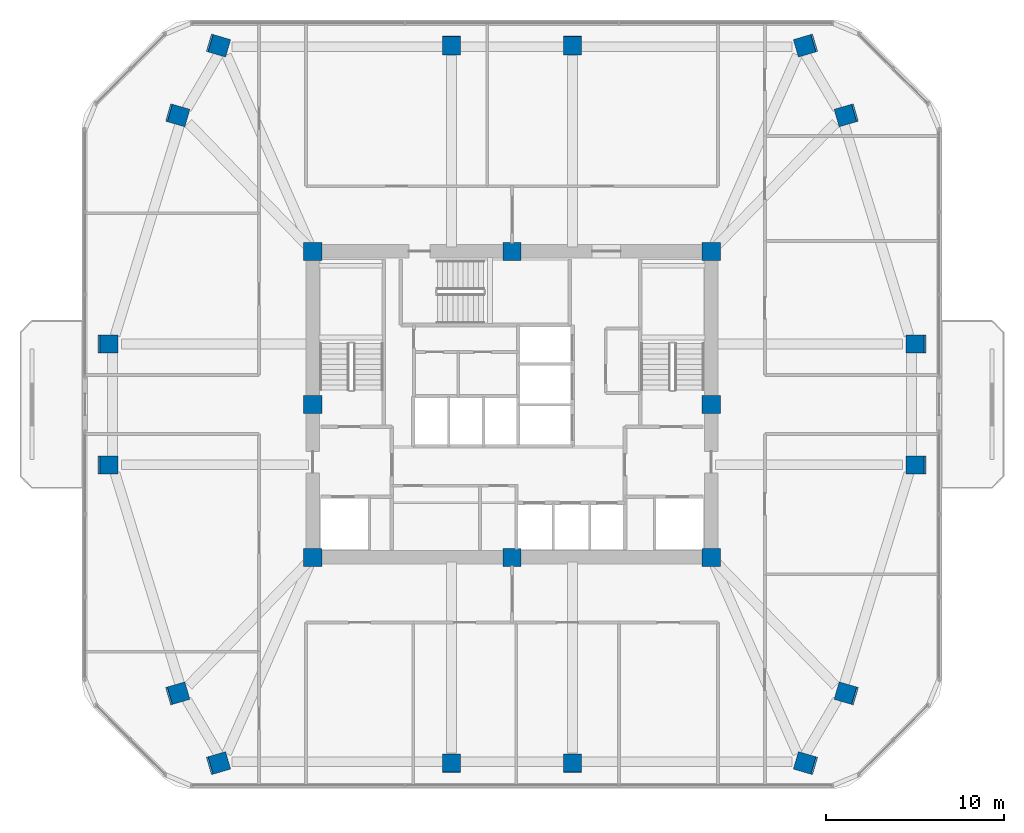
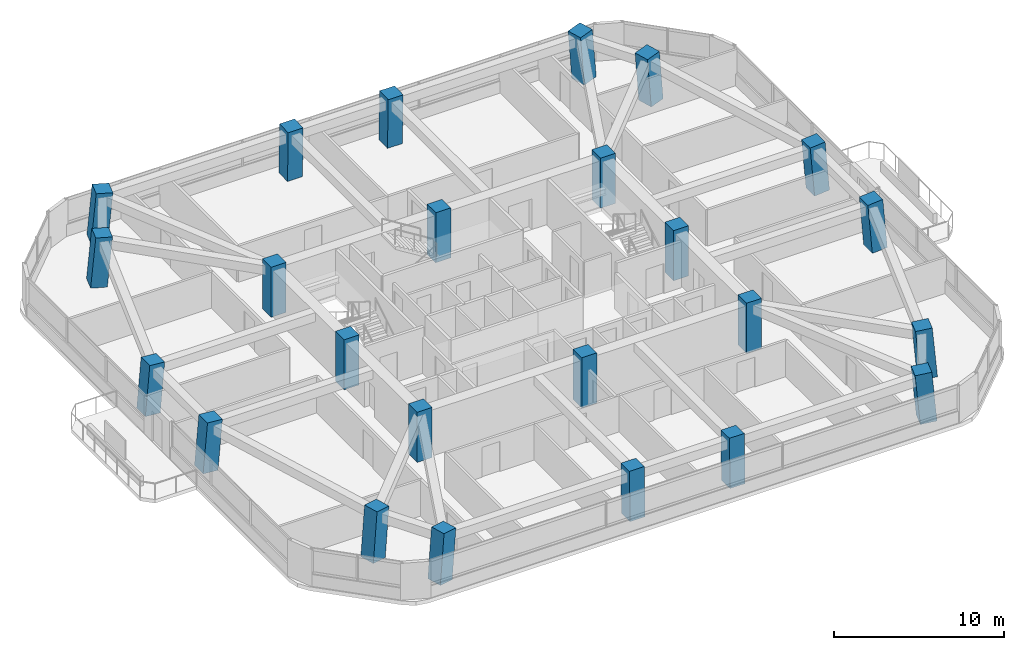
# One storey, part 1 of 14: 24 columns.
"""IFC4 building model written with IfcOpenShell, lengths in metres."""

from ifc_helpers import new_model, si_unit, derived_unit, direction, frame, origin, origin_2d, place, context, subcontext, project, spatial, rectangle, extrude, material, material_profile, profile_set, type_object, element, save


model = new_model("IFC4")

# Units and contexts
model_context = context("Model", 3, precision=1e-05, world=origin(), true_north=direction((0.0, 1.0)))
body_context = subcontext(model_context, "Body", "Model", "MODEL_VIEW")
ifc_project = project(units=[si_unit("LENGTHUNIT", "METRE"), si_unit("AREAUNIT", "SQUARE_METRE"), si_unit("VOLUMEUNIT", "CUBIC_METRE"), si_unit("PLANEANGLEUNIT", "RADIAN"), si_unit("MASSUNIT", "GRAM", prefix="KILO"), derived_unit("THERMALTRANSMITTANCEUNIT", [(si_unit("POWERUNIT", "WATT"), 1), (si_unit("LENGTHUNIT", "METRE"), -2), (si_unit("THERMODYNAMICTEMPERATUREUNIT", "KELVIN"), -1)])], contexts=[model_context])

# Site, building, storey
site_placement = place(None, origin())
site = spatial("IfcSite", under=ifc_project, at=site_placement, CompositionType="ELEMENT")
building_placement = place(site_placement, origin())
building = spatial("IfcBuilding", under=site, at=building_placement, Name="Koralith Skygarden Medical Center", CompositionType="ELEMENT")
storey_placement = place(building_placement, frame((0.0, 0.0, 120.780029296875)))
storey = spatial("IfcBuildingStorey", under=building, at=storey_placement, Name="L31", CompositionType="ELEMENT", Elevation=120.780029296875)

# Columns
ifc_material = material(Name="Concrete C70/85", Category="concrete")
ifc_material_profile_1 = material_profile(ifc_material, rectangle(XDim=1.02001953125, YDim=1.02001953125, at=origin_2d()), Name="RC1020X1020")
ifc_profile_set_1 = profile_set([ifc_material_profile_1], Name="Concrete C70/85")
column_type_1 = type_object("IfcColumnType", Name="Core Mega-Column C70 RC1020", PredefinedType="COLUMN", material=ifc_profile_set_1)
for number, where, z_axis, x_axis, name in (
    (1, (25.800048828125, 17.300048828125, 0.0), (0.0, 0.0, 1.0), (1.0, 0.0, 0.0), "L31 Core Column CC-01"),
    (2, (37.0, 17.300048828125, 0.0), (0.0, 0.0, 1.0), (1.0, 0.0, 0.0), "L31 Core Column CC-02"),
    (3, (48.199951171875, 17.300048828125, 0.0), (0.0, 0.0, 1.0), (1.0, 0.0, 0.0), "L31 Core Column CC-03"),
    (4, (48.199951171875, 25.89990234375, 0.0), (0.0, 0.0, 1.0), (1.0, 0.0, 0.0), "L31 Core Column CC-04"),
    (5, (48.199951171875, 34.5, 0.0), (0.0, 0.0, 1.0), (1.0, 0.0, 0.0), "L31 Core Column CC-05"),
    (6, (37.0, 34.5, 0.0), (0.0, 0.0, 1.0), (1.0, 0.0, 0.0), "L31 Core Column CC-06"),
    (7, (25.800048828125, 34.5, 0.0), (0.0, 0.0, 1.0), (1.0, 0.0, 0.0), "L31 Core Column CC-07"),
    (8, (25.800048828125, 25.89990234375, 0.0), (0.0, 0.0, 1.0), (1.0, 0.0, 0.0), "L31 Core Column CC-08"),
):
    element("IfcColumn", number, at=place(storey_placement, frame(where, z_axis=z_axis, x_axis=x_axis)), inside=storey, type_object=column_type_1, Name=name, PredefinedType="COLUMN", context=body_context, shape_type="SweptSolid", body=[
        extrude(rectangle(XDim=1.02001953125, YDim=1.02001953125, at=origin_2d()), origin(), (0.0, 0.0, 1.0), 3.599853515625),
    ])
ifc_material_profile_2 = material_profile(ifc_material, rectangle(XDim=1.02001953125, YDim=1.02001953125, at=origin_2d()), Name="RC1020X1020")
ifc_profile_set_2 = profile_set([ifc_material_profile_2], Name="Concrete C70/85")
column_type_2 = type_object("IfcColumnType", Name="Zone 2 Waist-In Mega-Column C70 RC1020", PredefinedType="COLUMN", material=ifc_profile_set_2)
column_1_placement = place(storey_placement, frame((14.239990234375, 22.5, 0.02099609375), z_axis=(0.084850379912, 0.0, 0.996393703828), x_axis=(0.0, 1.0, 0.0)))
element("IfcColumn", 9, at=column_1_placement, inside=storey, type_object=column_type_2, Name="L31 Perimeter Mega-Column MC-01", PredefinedType="COLUMN", context=body_context, shape_type="SweptSolid", body=[
    extrude(rectangle(XDim=1.02001953125, YDim=1.02001953125, at=origin_2d()), origin(), (0.0, 0.0, 1.0), 3.57080078125),
])
for number, where, z_axis, x_axis, name in (
    (10, (18.160888671875, 9.636962890625, 0.02099609375), (0.084553095898, 0.024675559919, 0.996113392499), (-0.280148995539, 0.959956530421, 0.0), "L31 Perimeter Mega-Column MC-02"),
    (11, (20.451904296875, 5.716064453125, 0.02099609375), (0.084824114217, 0.024879917466, 0.99608526711), (-0.281454582132, 0.95957455062, 0.0), "L31 Perimeter Mega-Column MC-03"),
):
    element("IfcColumn", number, at=place(storey_placement, frame(where, z_axis=z_axis, x_axis=x_axis)), inside=storey, type_object=column_type_2, Name=name, PredefinedType="COLUMN", context=body_context, shape_type="SweptSolid", body=[
        extrude(rectangle(XDim=1.02001953125, YDim=1.02001953125, at=origin_2d()), origin(), (0.0, 0.0, 1.0), 3.57177734375),
    ])
for number, where, z_axis, x_axis, name in (
    (12, (33.60009765625, 5.716064453125, 0.02099609375), (0.0, 0.024969910516, 0.999688203176), (-1.0, 0.0, 0.0), "L31 Perimeter Mega-Column MC-04"),
    (13, (40.39990234375, 5.716064453125, 0.02099609375), (0.0, 0.024969910516, 0.999688203176), (-1.0, 0.0, 0.0), "L31 Perimeter Mega-Column MC-05"),
):
    element("IfcColumn", number, at=place(storey_placement, frame(where, z_axis=z_axis, x_axis=x_axis)), inside=storey, type_object=column_type_2, Name=name, PredefinedType="COLUMN", context=body_context, shape_type="SweptSolid", body=[
        extrude(rectangle(XDim=1.02001953125, YDim=1.02001953125, at=origin_2d()), origin(), (0.0, 0.0, 1.0), 3.55908203125),
    ])
for number, where, z_axis, x_axis, name in (
    (14, (53.548095703125, 5.716064453125, 0.02099609375), (-0.084824114217, 0.024879917466, 0.99608526711), (-0.281454582132, -0.95957455062, 0.0), "L31 Perimeter Mega-Column MC-06"),
    (15, (55.839111328125, 9.636962890625, 0.02099609375), (-0.084553095898, 0.024675559919, 0.996113392499), (-0.280148995539, -0.959956530421, 0.0), "L31 Perimeter Mega-Column MC-07"),
):
    element("IfcColumn", number, at=place(storey_placement, frame(where, z_axis=z_axis, x_axis=x_axis)), inside=storey, type_object=column_type_2, Name=name, PredefinedType="COLUMN", context=body_context, shape_type="SweptSolid", body=[
        extrude(rectangle(XDim=1.02001953125, YDim=1.02001953125, at=origin_2d()), origin(), (0.0, 0.0, 1.0), 3.57177734375),
    ])
for number, where, z_axis, x_axis, name in (
    (16, (59.760009765625, 22.5, 0.02099609375), (-0.084850379912, 0.0, 0.996393703828), (0.0, -1.0, 0.0), "L31 Perimeter Mega-Column MC-08"),
    (17, (59.760009765625, 29.300048828125, 0.02099609375), (-0.084850379912, 0.0, 0.996393703828), (0.0, -1.0, 0.0), "L31 Perimeter Mega-Column MC-09"),
):
    element("IfcColumn", number, at=place(storey_placement, frame(where, z_axis=z_axis, x_axis=x_axis)), inside=storey, type_object=column_type_2, Name=name, PredefinedType="COLUMN", context=body_context, shape_type="SweptSolid", body=[
        extrude(rectangle(XDim=1.02001953125, YDim=1.02001953125, at=origin_2d()), origin(), (0.0, 0.0, 1.0), 3.57080078125),
    ])
for number, where, z_axis, x_axis, name in (
    (18, (55.839111328125, 42.1630859375, 0.02099609375), (-0.084553095898, -0.024675559919, 0.996113392499), (0.280148995539, -0.959956530421, 0.0), "L31 Perimeter Mega-Column MC-10"),
    (19, (53.548095703125, 46.083984375, 0.02099609375), (-0.084824114217, -0.024879917466, 0.99608526711), (0.281454582132, -0.95957455062, 0.0), "L31 Perimeter Mega-Column MC-11"),
):
    element("IfcColumn", number, at=place(storey_placement, frame(where, z_axis=z_axis, x_axis=x_axis)), inside=storey, type_object=column_type_2, Name=name, PredefinedType="COLUMN", context=body_context, shape_type="SweptSolid", body=[
        extrude(rectangle(XDim=1.02001953125, YDim=1.02001953125, at=origin_2d()), origin(), (0.0, 0.0, 1.0), 3.57177734375),
    ])
for number, where, z_axis, x_axis, name in (
    (20, (40.39990234375, 46.083984375, 0.02099609375), (0.0, -0.024969910516, 0.999688203176), (1.0, 0.0, 0.0), "L31 Perimeter Mega-Column MC-12"),
    (21, (33.60009765625, 46.083984375, 0.02099609375), (0.0, -0.024969910516, 0.999688203176), (1.0, 0.0, 0.0), "L31 Perimeter Mega-Column MC-13"),
):
    element("IfcColumn", number, at=place(storey_placement, frame(where, z_axis=z_axis, x_axis=x_axis)), inside=storey, type_object=column_type_2, Name=name, PredefinedType="COLUMN", context=body_context, shape_type="SweptSolid", body=[
        extrude(rectangle(XDim=1.02001953125, YDim=1.02001953125, at=origin_2d()), origin(), (0.0, 0.0, 1.0), 3.55908203125),
    ])
for number, where, z_axis, x_axis, name in (
    (22, (20.451904296875, 46.083984375, 0.02099609375), (0.084824114217, -0.024879917466, 0.99608526711), (0.281454582132, 0.95957455062, 0.0), "L31 Perimeter Mega-Column MC-14"),
    (23, (18.160888671875, 42.1630859375, 0.02099609375), (0.084553095898, -0.024675559919, 0.996113392499), (0.280148995539, 0.959956530421, 0.0), "L31 Perimeter Mega-Column MC-15"),
):
    element("IfcColumn", number, at=place(storey_placement, frame(where, z_axis=z_axis, x_axis=x_axis)), inside=storey, type_object=column_type_2, Name=name, PredefinedType="COLUMN", context=body_context, shape_type="SweptSolid", body=[
        extrude(rectangle(XDim=1.02001953125, YDim=1.02001953125, at=origin_2d()), origin(), (0.0, 0.0, 1.0), 3.57177734375),
    ])
column_2_placement = place(storey_placement, frame((14.239990234375, 29.300048828125, 0.02099609375), z_axis=(0.084850379912, 0.0, 0.996393703828), x_axis=(0.0, 1.0, 0.0)))
element("IfcColumn", 24, at=column_2_placement, inside=storey, type_object=column_type_2, Name="L31 Perimeter Mega-Column MC-16", PredefinedType="COLUMN", context=body_context, shape_type="SweptSolid", body=[
    extrude(rectangle(XDim=1.02001953125, YDim=1.02001953125, at=origin_2d()), origin(), (0.0, 0.0, 1.0), 3.57080078125),
])

save(model, "model.ifc")
